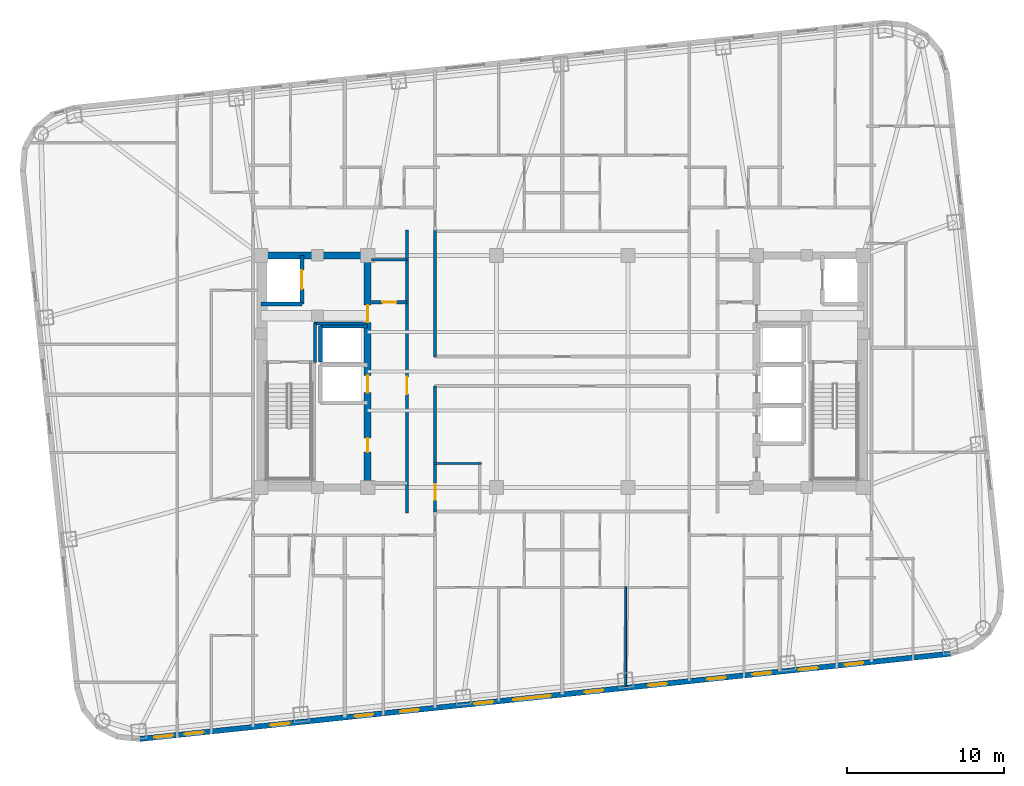
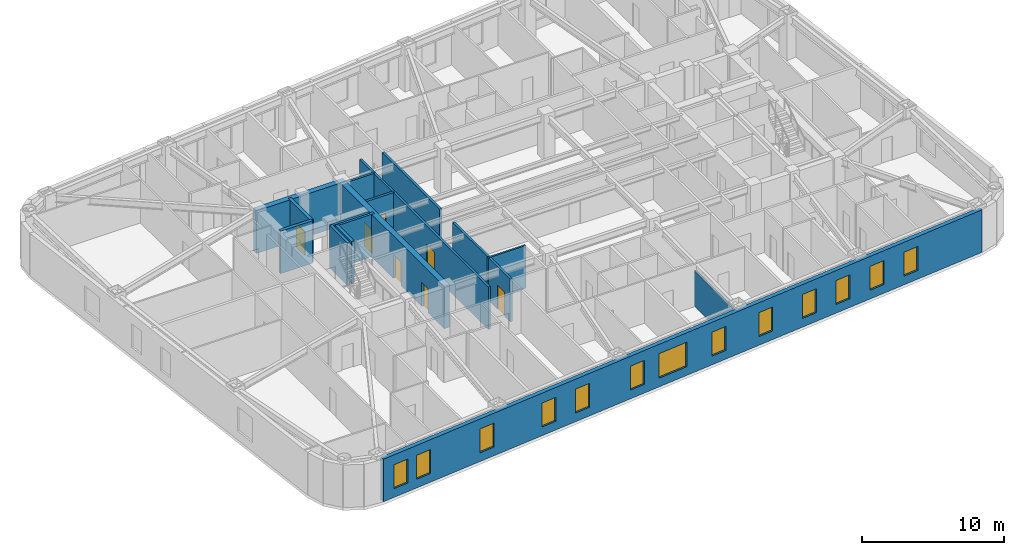
# One storey, part 4 of 11: 16 walls, 13 windows, 7 doors, 20 openings.
"""IFC4 building model written with IfcOpenShell, lengths in metres."""

from ifc_helpers import new_model, si_unit, direction, frame, frame_2d, origin, place, context, subcontext, project, spatial, rectangle, extrude, material, layer, layer_set, type_object, element, fill, save


model = new_model("IFC4")

# Units and contexts
model_context = context("Model", 3, precision=1e-05, world=origin(), true_north=direction((0.0, 1.0)))
body_context = subcontext(model_context, "Body", "Model", "MODEL_VIEW")
ifc_project = project(units=[si_unit("LENGTHUNIT", "METRE"), si_unit("AREAUNIT", "SQUARE_METRE"), si_unit("VOLUMEUNIT", "CUBIC_METRE"), si_unit("PLANEANGLEUNIT", "RADIAN"), si_unit("MASSUNIT", "GRAM", prefix="KILO")], contexts=[model_context])

# Site, building, storey
site_placement = place(None, origin())
site = spatial("IfcSite", under=ifc_project, at=site_placement, CompositionType="ELEMENT")
building_placement = place(site_placement, origin())
building = spatial("IfcBuilding", under=site, at=building_placement, Name="Voryun Gate Residences", CompositionType="ELEMENT")
storey_placement = place(building_placement, frame((0.0, 0.0, 163.800048828125)))
storey = spatial("IfcBuildingStorey", under=building, at=storey_placement, Name="L40", CompositionType="ELEMENT", Elevation=163.800048828125)

# Wall
ifc_material_1 = material(Name="Concrete C50/60", Category="concrete")
ifc_layer_1 = layer(ifc_material_1, 0.449951171875, Name="CW_CORE_450")
ifc_layer_set_1 = layer_set([ifc_layer_1], Name="Concrete C50/60")
wall_type_1 = type_object("IfcWallType", Name="CW_CORE_450", PredefinedType="SHEAR", material=ifc_layer_set_1)
wall_1_placement = place(storey_placement, frame((-19.425048828125, 7.39990234375, 0.0), z_axis=(0.0, 0.0, 1.0), x_axis=(1.0, 0.0, 0.0)))
element("IfcWall", 1, at=wall_1_placement, inside=storey, type_object=wall_type_1, Name="L40 Core shear wall CW-L40-WN", PredefinedType="SHEAR", context=body_context, shape_type="SweptSolid", body=[
    extrude(rectangle(XDim=7.25, YDim=0.449951171875, at=frame_2d((3.625, 0.0))), origin(), (0.0, 0.0, 1.0), 3.64990234375),
])

# Wall, openings, doors
wall_2_placement = place(storey_placement, frame((-12.39990234375, -7.39990234375, 0.0), z_axis=(0.0, 0.0, 1.0), x_axis=(0.0, 1.0, 0.0)))
wall_2 = element("IfcWall", 2, at=wall_2_placement, inside=storey, type_object=wall_type_1, Name="L40 Core shear wall CW-L40-WE", PredefinedType="SHEAR", context=body_context, shape_type="SweptSolid", body=[
    extrude(rectangle(XDim=14.7998046875, YDim=0.449951171875, at=frame_2d((7.39990234375, 0.0))), origin(), (0.0, 0.0, 1.0), 3.64990234375),
])
opening_1_placement = place(wall_2_placement, frame((6.050048828125, 0.0, 0.0)))
opening_1 = element("IfcOpeningElement", 3, at=opening_1_placement, cuts=wall_2, Name="Opening LD2", PredefinedType="OPENING", context=body_context, shape_type="SweptSolid", body=[
    extrude(rectangle(XDim=1.10009765625, YDim=2.050048828125, at=frame_2d((0.550048828125, 1.02490234375))), frame((0.0, 0.235107421875, 0.0), z_axis=(0.0, -1.0, 0.0), x_axis=(1.0, 0.0, 0.0)), (0.0, 0.0, 1.0), 0.469970703125),
])
opening_2_placement = place(wall_2_placement, frame((10.530029296875, 0.0, 0.0)))
opening_2 = element("IfcOpeningElement", 4, at=opening_2_placement, cuts=wall_2, Name="Opening D-FD60-2", PredefinedType="OPENING", context=body_context, shape_type="SweptSolid", body=[
    extrude(rectangle(XDim=1.10009765625, YDim=2.050048828125, at=frame_2d((0.550048828125, 1.02490234375))), frame((0.0, 0.235107421875, 0.0), z_axis=(0.0, -1.0, 0.0), x_axis=(1.0, 0.0, 0.0)), (0.0, 0.0, 1.0), 0.469970703125),
])
opening_3_placement = place(wall_2_placement, frame((2.25, 0.0, 0.0)))
opening_3 = element("IfcOpeningElement", 5, at=opening_3_placement, cuts=wall_2, Name="Opening D-FD60-4", PredefinedType="OPENING", context=body_context, shape_type="SweptSolid", body=[
    extrude(rectangle(XDim=0.89990234375, YDim=2.050048828125, at=frame_2d((0.449951171875, 1.02490234375))), frame((0.0, 0.235107421875, 0.0), z_axis=(0.0, -1.0, 0.0), x_axis=(1.0, 0.0, 0.0)), (0.0, 0.0, 1.0), 0.469970703125),
])
ifc_material_2 = material(Name="Painted steel fire door", Category="steel")
door_type_1 = type_object("IfcDoorType", Name="DR_FD60_FFLOB_1100", OperationType="NOTDEFINED", PredefinedType="DOOR", material=ifc_material_2)
door_1_placement = place(opening_2_placement, origin())
door_1 = element("IfcDoor", 6, at=door_1_placement, inside=storey, type_object=door_type_1, Name="Door DR-L40-CLOB-W", OperationType="SINGLE_SWING_LEFT", OverallHeight=2.050048828125, OverallWidth=1.10009765625, PredefinedType="DOOR", context=body_context, shape_type="SweptSolid", body=[
    extrude(rectangle(XDim=1.10009765625, YDim=2.050048828125, at=frame_2d((0.550048828125, 1.02490234375))), frame((0.0, 0.02490234375, 0.0), z_axis=(0.0, -1.0, 0.0), x_axis=(1.0, 0.0, 0.0)), (0.0, 0.0, 1.0), 0.050048828125),
])
fill(opening_2, door_1)
ifc_material_3 = material(Name="Painted steel fire door", Category="steel")
door_type_2 = type_object("IfcDoorType", Name="DR_FD60_RISER_900", OperationType="NOTDEFINED", PredefinedType="DOOR", material=ifc_material_3)
door_2_placement = place(opening_3_placement, origin())
door_2 = element("IfcDoor", 7, at=door_2_placement, inside=storey, type_object=door_type_2, Name="Door DR-L40-RECW1", OperationType="SINGLE_SWING_LEFT", OverallHeight=2.050048828125, OverallWidth=0.89990234375, PredefinedType="DOOR", context=body_context, shape_type="SweptSolid", body=[
    extrude(rectangle(XDim=0.89990234375, YDim=2.050048828125, at=frame_2d((0.449951171875, 1.02490234375))), frame((0.0, 0.02490234375, 0.0), z_axis=(0.0, -1.0, 0.0), x_axis=(1.0, 0.0, 0.0)), (0.0, 0.0, 1.0), 0.050048828125),
])
fill(opening_3, door_2)
ifc_material_4 = material(Name="Anodised aluminium", Category="aluminium")
door_type_3 = type_object("IfcDoorType", Name="DR_LD_PASS_1100", OperationType="NOTDEFINED", PredefinedType="DOOR", material=ifc_material_4)
door_3_placement = place(opening_1_placement, origin())
door_3 = element("IfcDoor", 8, at=door_3_placement, inside=storey, type_object=door_type_3, Name="Lift EL-P4 sliding landing door L40", OperationType="SLIDING_TO_LEFT", OverallHeight=2.050048828125, OverallWidth=1.10009765625, PredefinedType="DOOR", context=body_context, shape_type="SweptSolid", body=[
    extrude(rectangle(XDim=1.10009765625, YDim=2.050048828125, at=frame_2d((0.550048828125, 1.02490234375))), frame((0.0, 0.02490234375, 0.0), z_axis=(0.0, -1.0, 0.0), x_axis=(1.0, 0.0, 0.0)), (0.0, 0.0, 1.0), 0.050048828125),
])
fill(opening_1, door_3)

# Wall
ifc_material_5 = material(Name="Gypsum acoustic fireboard")
ifc_layer_2 = layer(ifc_material_5, 0.179931640625, Name="W_CORR_RATED_180")
ifc_layer_set_2 = layer_set([ifc_layer_2], Name="Gypsum acoustic fireboard")
wall_type_2 = type_object("IfcWallType", Name="W_CORR_RATED_180", PredefinedType="PARTITIONING", material=ifc_layer_set_2)
wall_3_placement = place(storey_placement, frame((-12.14990234375, 7.1201171875, 0.0), z_axis=(0.0, 0.0, 1.0), x_axis=(1.0, 0.0, 0.0)))
element("IfcWall", 9, at=wall_3_placement, inside=storey, type_object=wall_type_2, Name="Partition wall WP-L40-PLBN-W", PredefinedType="PARTITIONING", context=body_context, shape_type="SweptSolid", body=[
    extrude(rectangle(XDim=2.27001953125, YDim=0.179931640625, at=frame_2d((1.135009765625, 0.0))), origin(), (0.0, 0.0, 1.0), 3.64990234375),
])

# Wall, opening, door
wall_4_placement = place(storey_placement, frame((-9.89990234375, -9.030029296875, 0.0), z_axis=(0.0, 0.0, 1.0), x_axis=(0.0, 1.0, 0.0)))
wall_4 = element("IfcWall", 10, at=wall_4_placement, inside=storey, type_object=wall_type_2, Name="Partition wall WP-L40-PLBW-FULL", PredefinedType="PARTITIONING", context=body_context, shape_type="SweptSolid", body=[
    extrude(rectangle(XDim=18.06005859375, YDim=0.179931640625, at=frame_2d((9.030029296875, 0.0))), origin(), (0.0, 0.0, 1.0), 3.64990234375),
])
opening_4_placement = place(wall_4_placement, frame((7.576904296875, 0.0, 0.0)))
opening_4 = element("IfcOpeningElement", 11, at=opening_4_placement, cuts=wall_4, Name="Opening D-FD60-2", PredefinedType="OPENING", context=body_context, shape_type="SweptSolid", body=[
    extrude(rectangle(XDim=1.10009765625, YDim=2.050048828125, at=frame_2d((0.550048828125, 1.02490234375))), frame((0.0, 0.099853515625, 0.0), z_axis=(0.0, -1.0, 0.0), x_axis=(1.0, 0.0, 0.0)), (0.0, 0.0, 1.0), 0.199951171875),
])
door_4_placement = place(opening_4_placement, origin())
door_4 = element("IfcDoor", 12, at=door_4_placement, inside=storey, type_object=door_type_1, Name="Door DR-L40-PLBW-COR", OperationType="SINGLE_SWING_LEFT", OverallHeight=2.050048828125, OverallWidth=1.10009765625, PredefinedType="DOOR", context=body_context, shape_type="SweptSolid", body=[
    extrude(rectangle(XDim=1.10009765625, YDim=2.050048828125, at=frame_2d((0.550048828125, 1.02490234375))), frame((0.0, 0.02490234375, 0.0), z_axis=(0.0, -1.0, 0.0), x_axis=(1.0, 0.0, 0.0)), (0.0, 0.0, 1.0), 0.050048828125),
])
fill(opening_4, door_4)

# Wall
wall_5_placement = place(storey_placement, frame((-8.10009765625, 0.919921875, 0.0), z_axis=(0.0, 0.0, 1.0), x_axis=(0.0, 1.0, 0.0)))
element("IfcWall", 13, at=wall_5_placement, inside=storey, type_object=wall_type_2, Name="Partition wall WP-L40-Z2WL1", PredefinedType="PARTITIONING", context=body_context, shape_type="SweptSolid", body=[
    extrude(rectangle(XDim=8.06005859375, YDim=0.179931640625, at=frame_2d((4.030029296875, 0.0))), origin(), (0.0, 0.0, 1.0), 3.64990234375),
])

# Wall, opening, door
wall_6_placement = place(storey_placement, frame((-8.10009765625, -8.97998046875, 0.0), z_axis=(0.0, 0.0, 1.0), x_axis=(0.0, 1.0, 0.0)))
wall_6 = element("IfcWall", 14, at=wall_6_placement, inside=storey, type_object=wall_type_2, Name="Partition wall WP-L40-Z2WL2", PredefinedType="PARTITIONING", context=body_context, shape_type="SweptSolid", body=[
    extrude(rectangle(XDim=8.06005859375, YDim=0.179931640625, at=frame_2d((4.030029296875, 0.0))), origin(), (0.0, 0.0, 1.0), 3.64990234375),
])
opening_5_placement = place(wall_6_placement, frame((0.78955078125, 0.0, 0.0)))
opening_5 = element("IfcOpeningElement", 15, at=opening_5_placement, cuts=wall_6, Name="Opening D-AWC-1", PredefinedType="OPENING", context=body_context, shape_type="SweptSolid", body=[
    extrude(rectangle(XDim=1.0, YDim=2.050048828125, at=frame_2d((0.5, 1.02490234375))), frame((0.0, 0.099853515625, 0.0), z_axis=(0.0, -1.0, 0.0), x_axis=(1.0, 0.0, 0.0)), (0.0, 0.0, 1.0), 0.199951171875),
])
ifc_material_6 = material(Name="Architectural oak veneer")
door_type_4 = type_object("IfcDoorType", Name="DR_ACC_WC_1000", OperationType="NOTDEFINED", PredefinedType="DOOR", material=ifc_material_6)
door_5_placement = place(opening_5_placement, origin())
door_5 = element("IfcDoor", 16, at=door_5_placement, inside=storey, type_object=door_type_4, Name="Door DR-L40-CMWC-D", OperationType="SINGLE_SWING_LEFT", OverallHeight=2.050048828125, OverallWidth=1.0, PredefinedType="DOOR", context=body_context, shape_type="SweptSolid", body=[
    extrude(rectangle(XDim=1.0, YDim=2.050048828125, at=frame_2d((0.5, 1.02490234375))), frame((0.0, 0.02490234375, 0.0), z_axis=(0.0, -1.0, 0.0), x_axis=(1.0, 0.0, 0.0)), (0.0, 0.0, 1.0), 0.050048828125),
])
fill(opening_5, door_5)

# Wall, openings, windows
ifc_material_7 = material(Name="Charcoal terracotta masonry", Category="masonry")
ifc_layer_3 = layer(ifc_material_7, 0.340087890625, Name="W_EXT_TERRACOTTA_340")
ifc_layer_set_3 = layer_set([ifc_layer_3], Name="Charcoal terracotta masonry")
wall_type_3 = type_object("IfcWallType", Name="W_EXT_TERRACOTTA_340", PredefinedType="ELEMENTEDWALL", material=ifc_layer_set_3)
wall_7_placement = place(storey_placement, frame((24.755615234375, -18.003173828125, 0.0), z_axis=(0.0, 0.0, 1.0), x_axis=(-0.99452160744, -0.104531202687, 0.0)))
wall_7 = element("IfcWall", 17, at=wall_7_placement, inside=storey, type_object=wall_type_3, Name="Exterior wall WEXT-L40-01", PredefinedType="ELEMENTEDWALL", context=body_context, shape_type="SweptSolid", body=[
    extrude(rectangle(XDim=51.966552734375, YDim=0.340087890625, at=frame_2d((25.9833984375, 0.0))), origin(), (0.0, 0.0, 1.0), 3.64990234375),
])
opening_6_placement = place(wall_7_placement, frame((25.63330078125, 0.0, 0.75)))
opening_6 = element("IfcOpeningElement", 18, at=opening_6_placement, cuts=wall_7, Name="Opening WN2", PredefinedType="OPENING", context=body_context, shape_type="SweptSolid", body=[
    extrude(rectangle(XDim=2.39990234375, YDim=2.10009765625, at=frame_2d((1.199951171875, 1.050048828125))), frame((0.0, 0.179931640625, 0.0), z_axis=(0.0, -1.0, 0.0), x_axis=(1.0, 0.0, 0.0)), (0.0, 0.0, 1.0), 0.360107421875),
])
opening_7_placement = place(wall_7_placement, frame((42.369384765625, 0.0, 0.75)))
opening_7 = element("IfcOpeningElement", 19, at=opening_7_placement, cuts=wall_7, Name="Opening WN6", PredefinedType="OPENING", context=body_context, shape_type="SweptSolid", body=[
    extrude(rectangle(XDim=1.199951171875, YDim=2.050048828125, at=frame_2d((0.60009765625, 1.02490234375))), frame((0.0, 0.179931640625, 0.0), z_axis=(0.0, -1.0, 0.0), x_axis=(1.0, 0.0, 0.0)), (0.0, 0.0, 1.0), 0.360107421875),
])
opening_8_placement = place(wall_7_placement, frame((34.084716796875, 0.0, 0.75)))
opening_8 = element("IfcOpeningElement", 20, at=opening_8_placement, cuts=wall_7, Name="Opening WN6", PredefinedType="OPENING", context=body_context, shape_type="SweptSolid", body=[
    extrude(rectangle(XDim=1.199951171875, YDim=2.050048828125, at=frame_2d((0.60009765625, 1.02490234375))), frame((0.0, 0.179931640625, 0.0), z_axis=(0.0, -1.0, 0.0), x_axis=(1.0, 0.0, 0.0)), (0.0, 0.0, 1.0), 0.360107421875),
])
opening_9_placement = place(wall_7_placement, frame((36.9931640625, 0.0, 0.75)))
opening_9 = element("IfcOpeningElement", 21, at=opening_9_placement, cuts=wall_7, Name="Opening WN6", PredefinedType="OPENING", context=body_context, shape_type="SweptSolid", body=[
    extrude(rectangle(XDim=1.199951171875, YDim=2.050048828125, at=frame_2d((0.60009765625, 1.02490234375))), frame((0.0, 0.179931640625, 0.0), z_axis=(0.0, -1.0, 0.0), x_axis=(1.0, 0.0, 0.0)), (0.0, 0.0, 1.0), 0.360107421875),
])
opening_10_placement = place(wall_7_placement, frame((14.3974609375, 0.0, 0.75)))
opening_10 = element("IfcOpeningElement", 22, at=opening_10_placement, cuts=wall_7, Name="Opening WN6", PredefinedType="OPENING", context=body_context, shape_type="SweptSolid", body=[
    extrude(rectangle(XDim=1.199951171875, YDim=2.050048828125, at=frame_2d((0.60009765625, 1.02490234375))), frame((0.0, 0.179931640625, 0.0), z_axis=(0.0, -1.0, 0.0), x_axis=(1.0, 0.0, 0.0)), (0.0, 0.0, 1.0), 0.360107421875),
])
opening_11_placement = place(wall_7_placement, frame((11.489013671875, 0.0, 0.75)))
opening_11 = element("IfcOpeningElement", 23, at=opening_11_placement, cuts=wall_7, Name="Opening WN6", PredefinedType="OPENING", context=body_context, shape_type="SweptSolid", body=[
    extrude(rectangle(XDim=1.199951171875, YDim=2.050048828125, at=frame_2d((0.60009765625, 1.02490234375))), frame((0.0, 0.179931640625, 0.0), z_axis=(0.0, -1.0, 0.0), x_axis=(1.0, 0.0, 0.0)), (0.0, 0.0, 1.0), 0.360107421875),
])
opening_12_placement = place(wall_7_placement, frame((8.520751953125, 0.0, 0.75)))
opening_12 = element("IfcOpeningElement", 24, at=opening_12_placement, cuts=wall_7, Name="Opening WN6", PredefinedType="OPENING", context=body_context, shape_type="SweptSolid", body=[
    extrude(rectangle(XDim=1.199951171875, YDim=2.050048828125, at=frame_2d((0.60009765625, 1.02490234375))), frame((0.0, 0.179931640625, 0.0), z_axis=(0.0, -1.0, 0.0), x_axis=(1.0, 0.0, 0.0)), (0.0, 0.0, 1.0), 0.360107421875),
])
opening_13_placement = place(wall_7_placement, frame((5.58203125, 0.0, 0.75)))
opening_13 = element("IfcOpeningElement", 25, at=opening_13_placement, cuts=wall_7, Name="Opening WN6", PredefinedType="OPENING", context=body_context, shape_type="SweptSolid", body=[
    extrude(rectangle(XDim=1.199951171875, YDim=2.050048828125, at=frame_2d((0.60009765625, 1.02490234375))), frame((0.0, 0.179931640625, 0.0), z_axis=(0.0, -1.0, 0.0), x_axis=(1.0, 0.0, 0.0)), (0.0, 0.0, 1.0), 0.360107421875),
])
opening_14_placement = place(wall_7_placement, frame((29.31298828125, 0.0, 0.75)))
opening_14 = element("IfcOpeningElement", 26, at=opening_14_placement, cuts=wall_7, Name="Opening WN6", PredefinedType="OPENING", context=body_context, shape_type="SweptSolid", body=[
    extrude(rectangle(XDim=1.199951171875, YDim=2.050048828125, at=frame_2d((0.60009765625, 1.02490234375))), frame((0.0, 0.179931640625, 0.0), z_axis=(0.0, -1.0, 0.0), x_axis=(1.0, 0.0, 0.0)), (0.0, 0.0, 1.0), 0.360107421875),
])
opening_15_placement = place(wall_7_placement, frame((22.248291015625, 0.0, 0.75)))
opening_15 = element("IfcOpeningElement", 27, at=opening_15_placement, cuts=wall_7, Name="Opening WN6", PredefinedType="OPENING", context=body_context, shape_type="SweptSolid", body=[
    extrude(rectangle(XDim=1.199951171875, YDim=2.050048828125, at=frame_2d((0.60009765625, 1.02490234375))), frame((0.0, 0.179931640625, 0.0), z_axis=(0.0, -1.0, 0.0), x_axis=(1.0, 0.0, 0.0)), (0.0, 0.0, 1.0), 0.360107421875),
])
opening_16_placement = place(wall_7_placement, frame((18.18603515625, 0.0, 0.75)))
opening_16 = element("IfcOpeningElement", 28, at=opening_16_placement, cuts=wall_7, Name="Opening WN6", PredefinedType="OPENING", context=body_context, shape_type="SweptSolid", body=[
    extrude(rectangle(XDim=1.199951171875, YDim=2.050048828125, at=frame_2d((0.60009765625, 1.02490234375))), frame((0.0, 0.179931640625, 0.0), z_axis=(0.0, -1.0, 0.0), x_axis=(1.0, 0.0, 0.0)), (0.0, 0.0, 1.0), 0.360107421875),
])
opening_17_placement = place(wall_7_placement, frame((47.87890625, 0.0, 0.75)))
opening_17 = element("IfcOpeningElement", 29, at=opening_17_placement, cuts=wall_7, Name="Opening WN6", PredefinedType="OPENING", context=body_context, shape_type="SweptSolid", body=[
    extrude(rectangle(XDim=1.199951171875, YDim=2.050048828125, at=frame_2d((0.60009765625, 1.02490234375))), frame((0.0, 0.179931640625, 0.0), z_axis=(0.0, -1.0, 0.0), x_axis=(1.0, 0.0, 0.0)), (0.0, 0.0, 1.0), 0.360107421875),
])
opening_18_placement = place(wall_7_placement, frame((49.84423828125, 0.0, 0.75)))
opening_18 = element("IfcOpeningElement", 30, at=opening_18_placement, cuts=wall_7, Name="Opening WN6", PredefinedType="OPENING", context=body_context, shape_type="SweptSolid", body=[
    extrude(rectangle(XDim=1.199951171875, YDim=2.050048828125, at=frame_2d((0.60009765625, 1.02490234375))), frame((0.0, 0.179931640625, 0.0), z_axis=(0.0, -1.0, 0.0), x_axis=(1.0, 0.0, 0.0)), (0.0, 0.0, 1.0), 0.360107421875),
])
ifc_material_8 = material(Name="Laminated low-E glass", Category="glass")
window_type_1 = type_object("IfcWindowType", Name="WN_POD_SLOT_1200", PartitioningType="SINGLE_PANEL", PredefinedType="WINDOW", material=ifc_material_8)
window_1_placement = place(opening_7_placement, origin())
window_1 = element("IfcWindow", 31, at=window_1_placement, inside=storey, type_object=window_type_1, Name="Window WN-L40-DWFIX-10", OverallHeight=2.050048828125, OverallWidth=1.199951171875, PartitioningType="SINGLE_PANEL", PredefinedType="WINDOW", context=body_context, shape_type="SweptSolid", body=[
    extrude(rectangle(XDim=1.199951171875, YDim=2.050048828125, at=frame_2d((0.60009765625, 1.02490234375))), frame((0.0, 0.030029296875, 0.0), z_axis=(0.0, -1.0, 0.0), x_axis=(1.0, 0.0, 0.0)), (0.0, 0.0, 1.0), 0.06005859375),
])
fill(opening_7, window_1)
window_2_placement = place(opening_8_placement, origin())
window_2 = element("IfcWindow", 32, at=window_2_placement, inside=storey, type_object=window_type_1, Name="Window WN-L40-DWFIX-11", OverallHeight=2.050048828125, OverallWidth=1.199951171875, PartitioningType="SINGLE_PANEL", PredefinedType="WINDOW", context=body_context, shape_type="SweptSolid", body=[
    extrude(rectangle(XDim=1.199951171875, YDim=2.050048828125, at=frame_2d((0.60009765625, 1.02490234375))), frame((0.0, 0.030029296875, 0.0), z_axis=(0.0, -1.0, 0.0), x_axis=(1.0, 0.0, 0.0)), (0.0, 0.0, 1.0), 0.06005859375),
])
fill(opening_8, window_2)
window_3_placement = place(opening_9_placement, origin())
window_3 = element("IfcWindow", 33, at=window_3_placement, inside=storey, type_object=window_type_1, Name="Window WN-L40-DWFIX-12", OverallHeight=2.050048828125, OverallWidth=1.199951171875, PartitioningType="SINGLE_PANEL", PredefinedType="WINDOW", context=body_context, shape_type="SweptSolid", body=[
    extrude(rectangle(XDim=1.199951171875, YDim=2.050048828125, at=frame_2d((0.60009765625, 1.02490234375))), frame((0.0, 0.030029296875, 0.0), z_axis=(0.0, -1.0, 0.0), x_axis=(1.0, 0.0, 0.0)), (0.0, 0.0, 1.0), 0.06005859375),
])
fill(opening_9, window_3)
window_4_placement = place(opening_10_placement, origin())
window_4 = element("IfcWindow", 34, at=window_4_placement, inside=storey, type_object=window_type_1, Name="Window WN-L40-DWFIX-13", OverallHeight=2.050048828125, OverallWidth=1.199951171875, PartitioningType="SINGLE_PANEL", PredefinedType="WINDOW", context=body_context, shape_type="SweptSolid", body=[
    extrude(rectangle(XDim=1.199951171875, YDim=2.050048828125, at=frame_2d((0.60009765625, 1.02490234375))), frame((0.0, 0.030029296875, 0.0), z_axis=(0.0, -1.0, 0.0), x_axis=(1.0, 0.0, 0.0)), (0.0, 0.0, 1.0), 0.06005859375),
])
fill(opening_10, window_4)
window_5_placement = place(opening_11_placement, origin())
window_5 = element("IfcWindow", 35, at=window_5_placement, inside=storey, type_object=window_type_1, Name="Window WN-L40-DWFIX-14", OverallHeight=2.050048828125, OverallWidth=1.199951171875, PartitioningType="SINGLE_PANEL", PredefinedType="WINDOW", context=body_context, shape_type="SweptSolid", body=[
    extrude(rectangle(XDim=1.199951171875, YDim=2.050048828125, at=frame_2d((0.60009765625, 1.02490234375))), frame((0.0, 0.030029296875, 0.0), z_axis=(0.0, -1.0, 0.0), x_axis=(1.0, 0.0, 0.0)), (0.0, 0.0, 1.0), 0.06005859375),
])
fill(opening_11, window_5)
window_6_placement = place(opening_12_placement, origin())
window_6 = element("IfcWindow", 36, at=window_6_placement, inside=storey, type_object=window_type_1, Name="Window WN-L40-DWFIX-15", OverallHeight=2.050048828125, OverallWidth=1.199951171875, PartitioningType="SINGLE_PANEL", PredefinedType="WINDOW", context=body_context, shape_type="SweptSolid", body=[
    extrude(rectangle(XDim=1.199951171875, YDim=2.050048828125, at=frame_2d((0.60009765625, 1.02490234375))), frame((0.0, 0.030029296875, 0.0), z_axis=(0.0, -1.0, 0.0), x_axis=(1.0, 0.0, 0.0)), (0.0, 0.0, 1.0), 0.06005859375),
])
fill(opening_12, window_6)
window_7_placement = place(opening_13_placement, origin())
window_7 = element("IfcWindow", 37, at=window_7_placement, inside=storey, type_object=window_type_1, Name="Window WN-L40-DWFIX-16", OverallHeight=2.050048828125, OverallWidth=1.199951171875, PartitioningType="SINGLE_PANEL", PredefinedType="WINDOW", context=body_context, shape_type="SweptSolid", body=[
    extrude(rectangle(XDim=1.199951171875, YDim=2.050048828125, at=frame_2d((0.60009765625, 1.02490234375))), frame((0.0, 0.030029296875, 0.0), z_axis=(0.0, -1.0, 0.0), x_axis=(1.0, 0.0, 0.0)), (0.0, 0.0, 1.0), 0.06005859375),
])
fill(opening_13, window_7)
window_8_placement = place(opening_14_placement, origin())
window_8 = element("IfcWindow", 38, at=window_8_placement, inside=storey, type_object=window_type_1, Name="Window WN-L40-DWFIX-17", OverallHeight=2.050048828125, OverallWidth=1.199951171875, PartitioningType="SINGLE_PANEL", PredefinedType="WINDOW", context=body_context, shape_type="SweptSolid", body=[
    extrude(rectangle(XDim=1.199951171875, YDim=2.050048828125, at=frame_2d((0.60009765625, 1.02490234375))), frame((0.0, 0.030029296875, 0.0), z_axis=(0.0, -1.0, 0.0), x_axis=(1.0, 0.0, 0.0)), (0.0, 0.0, 1.0), 0.06005859375),
])
fill(opening_14, window_8)
window_9_placement = place(opening_15_placement, origin())
window_9 = element("IfcWindow", 39, at=window_9_placement, inside=storey, type_object=window_type_1, Name="Window WN-L40-DWFIX-18", OverallHeight=2.050048828125, OverallWidth=1.199951171875, PartitioningType="SINGLE_PANEL", PredefinedType="WINDOW", context=body_context, shape_type="SweptSolid", body=[
    extrude(rectangle(XDim=1.199951171875, YDim=2.050048828125, at=frame_2d((0.60009765625, 1.02490234375))), frame((0.0, 0.030029296875, 0.0), z_axis=(0.0, -1.0, 0.0), x_axis=(1.0, 0.0, 0.0)), (0.0, 0.0, 1.0), 0.06005859375),
])
fill(opening_15, window_9)
window_10_placement = place(opening_16_placement, origin())
window_10 = element("IfcWindow", 40, at=window_10_placement, inside=storey, type_object=window_type_1, Name="Window WN-L40-DWFIX-19", OverallHeight=2.050048828125, OverallWidth=1.199951171875, PartitioningType="SINGLE_PANEL", PredefinedType="WINDOW", context=body_context, shape_type="SweptSolid", body=[
    extrude(rectangle(XDim=1.199951171875, YDim=2.050048828125, at=frame_2d((0.60009765625, 1.02490234375))), frame((0.0, 0.030029296875, 0.0), z_axis=(0.0, -1.0, 0.0), x_axis=(1.0, 0.0, 0.0)), (0.0, 0.0, 1.0), 0.06005859375),
])
fill(opening_16, window_10)
window_11_placement = place(opening_17_placement, origin())
window_11 = element("IfcWindow", 41, at=window_11_placement, inside=storey, type_object=window_type_1, Name="Window WN-L40-DWFIX-20", OverallHeight=2.050048828125, OverallWidth=1.199951171875, PartitioningType="SINGLE_PANEL", PredefinedType="WINDOW", context=body_context, shape_type="SweptSolid", body=[
    extrude(rectangle(XDim=1.199951171875, YDim=2.050048828125, at=frame_2d((0.60009765625, 1.02490234375))), frame((0.0, 0.030029296875, 0.0), z_axis=(0.0, -1.0, 0.0), x_axis=(1.0, 0.0, 0.0)), (0.0, 0.0, 1.0), 0.06005859375),
])
fill(opening_17, window_11)
window_12_placement = place(opening_18_placement, origin())
window_12 = element("IfcWindow", 42, at=window_12_placement, inside=storey, type_object=window_type_1, Name="Window WN-L40-DWFIX-22", OverallHeight=2.050048828125, OverallWidth=1.199951171875, PartitioningType="SINGLE_PANEL", PredefinedType="WINDOW", context=body_context, shape_type="SweptSolid", body=[
    extrude(rectangle(XDim=1.199951171875, YDim=2.050048828125, at=frame_2d((0.60009765625, 1.02490234375))), frame((0.0, 0.030029296875, 0.0), z_axis=(0.0, -1.0, 0.0), x_axis=(1.0, 0.0, 0.0)), (0.0, 0.0, 1.0), 0.06005859375),
])
fill(opening_18, window_12)
ifc_material_9 = material(Name="Laminated low-E glass", Category="glass")
window_type_2 = type_object("IfcWindowType", Name="WN_RES_WIDE_2400", PartitioningType="SINGLE_PANEL", PredefinedType="WINDOW", material=ifc_material_9)
window_13_placement = place(opening_6_placement, origin())
window_13 = element("IfcWindow", 43, at=window_13_placement, inside=storey, type_object=window_type_2, Name="Window WN-WEXT-L40-01-02", OverallHeight=2.10009765625, OverallWidth=2.39990234375, PartitioningType="SINGLE_PANEL", PredefinedType="WINDOW", context=body_context, shape_type="SweptSolid", body=[
    extrude(rectangle(XDim=2.39990234375, YDim=2.10009765625, at=frame_2d((1.199951171875, 1.050048828125))), frame((0.0, 0.030029296875, 0.0), z_axis=(0.0, -1.0, 0.0), x_axis=(1.0, 0.0, 0.0)), (0.0, 0.0, 1.0), 0.06005859375),
])
fill(opening_6, window_13)

# Walls
ifc_material_10 = material(Name="Concrete C40/50", Category="concrete")
ifc_layer_4 = layer(ifc_material_10, 0.199951171875, Name="W_FF_LOBBY_200")
ifc_layer_set_4 = layer_set([ifc_layer_4], Name="Concrete C40/50")
wall_type_4 = type_object("IfcWallType", Name="W_FF_LOBBY_200", PredefinedType="PARTITIONING", material=ifc_layer_set_4)
wall_8_placement = place(storey_placement, frame((-15.760009765625, 0.580078125, 0.0), z_axis=(0.0, 0.0, 1.0), x_axis=(0.0, 1.0, 0.0)))
element("IfcWall", 44, at=wall_8_placement, inside=storey, type_object=wall_type_4, Name="Partition wall WP-L40-FFP0-W", PredefinedType="PARTITIONING", context=body_context, shape_type="SweptSolid", body=[
    extrude(rectangle(XDim=2.52001953125, YDim=0.199951171875, at=frame_2d((1.260009765625, 0.0))), origin(), (0.0, 0.0, 1.0), 3.64990234375),
])
wall_9_placement = place(storey_placement, frame((-15.820068359375, 3.06005859375, 0.0), z_axis=(0.0, 0.0, 1.0), x_axis=(1.0, 0.0, 0.0)))
element("IfcWall", 45, at=wall_9_placement, inside=storey, type_object=wall_type_4, Name="Partition wall WP-L40-FFPS-W", PredefinedType="PARTITIONING", context=body_context, shape_type="SweptSolid", body=[
    extrude(rectangle(XDim=3.16015625, YDim=0.199951171875, at=frame_2d((1.580078125, 0.0))), origin(), (0.0, 0.0, 1.0), 3.64990234375),
])

# Wall, opening, door
wall_10_placement = place(storey_placement, frame((-12.14990234375, 4.409912109375, 0.0), z_axis=(0.0, 0.0, 1.0), x_axis=(1.0, 0.0, 0.0)))
wall_10 = element("IfcWall", 46, at=wall_10_placement, inside=storey, type_object=wall_type_4, Name="Partition wall WP-L40-CSFLKS-W", PredefinedType="PARTITIONING", context=body_context, shape_type="SweptSolid", body=[
    extrude(rectangle(XDim=2.27001953125, YDim=0.199951171875, at=frame_2d((1.135009765625, 0.0))), origin(), (0.0, 0.0, 1.0), 3.64990234375),
])
opening_19_placement = place(wall_10_placement, frame((0.68505859375, 0.0, 0.0)))
opening_19 = element("IfcOpeningElement", 47, at=opening_19_placement, cuts=wall_10, Name="Opening D-FD60-4", PredefinedType="OPENING", context=body_context, shape_type="SweptSolid", body=[
    extrude(rectangle(XDim=0.89990234375, YDim=2.050048828125, at=frame_2d((0.449951171875, 1.02490234375))), frame((0.0, 0.110107421875, 0.0), z_axis=(0.0, -1.0, 0.0), x_axis=(1.0, 0.0, 0.0)), (0.0, 0.0, 1.0), 0.219970703125),
])
door_6_placement = place(opening_19_placement, origin())
door_6 = element("IfcDoor", 48, at=door_6_placement, inside=storey, type_object=door_type_2, Name="Door DR-L40-CSFLK-W", OperationType="SINGLE_SWING_LEFT", OverallHeight=2.050048828125, OverallWidth=0.89990234375, PredefinedType="DOOR", context=body_context, shape_type="SweptSolid", body=[
    extrude(rectangle(XDim=0.89990234375, YDim=2.050048828125, at=frame_2d((0.449951171875, 1.02490234375))), frame((0.0, 0.02490234375, 0.0), z_axis=(0.0, -1.0, 0.0), x_axis=(1.0, 0.0, 0.0)), (0.0, 0.0, 1.0), 0.050048828125),
])
fill(opening_19, door_6)

# Wall
ifc_material_11 = material(Name="Concrete C50/60", Category="concrete")
ifc_layer_5 = layer(ifc_material_11, 0.25, Name="W_SHAFT_RC250")
ifc_layer_set_5 = layer_set([ifc_layer_5], Name="Concrete C50/60")
wall_type_5 = type_object("IfcWallType", Name="W_SHAFT_RC250", PredefinedType="SOLIDWALL", material=ifc_layer_set_5)
wall_11_placement = place(storey_placement, frame((-19.199951171875, 4.300048828125, 0.0), z_axis=(0.0, 0.0, 1.0), x_axis=(1.0, 0.0, 0.0)))
element("IfcWall", 49, at=wall_11_placement, inside=storey, type_object=wall_type_5, Name="Lift shaft wall WSH-L40-EL-FF-W1-S", PredefinedType="SOLIDWALL", context=body_context, shape_type="SweptSolid", body=[
    extrude(rectangle(XDim=2.599853515625, YDim=0.25, at=frame_2d((1.2998046875, 0.0))), origin(), (0.0, 0.0, 1.0), 3.64990234375),
])

# Wall, opening, door
wall_12_placement = place(storey_placement, frame((-16.60009765625, 4.300048828125, 0.0), z_axis=(0.0, 0.0, 1.0), x_axis=(0.0, 1.0, 0.0)))
wall_12 = element("IfcWall", 50, at=wall_12_placement, inside=storey, type_object=wall_type_5, Name="Lift shaft wall WSH-L40-EL-FF-W1-E", PredefinedType="SOLIDWALL", context=body_context, shape_type="SweptSolid", body=[
    extrude(rectangle(XDim=3.099853515625, YDim=0.25, at=frame_2d((1.5498046875, 0.0))), origin(), (0.0, 0.0, 1.0), 3.64990234375),
])
opening_20_placement = place(wall_12_placement, frame((0.949951171875, 0.0, 0.0)))
opening_20 = element("IfcOpeningElement", 51, at=opening_20_placement, cuts=wall_12, Name="Opening LD1", PredefinedType="OPENING", context=body_context, shape_type="SweptSolid", body=[
    extrude(rectangle(XDim=1.199951171875, YDim=2.050048828125, at=frame_2d((0.60009765625, 1.02490234375))), frame((0.0, 0.135009765625, 0.0), z_axis=(0.0, -1.0, 0.0), x_axis=(1.0, 0.0, 0.0)), (0.0, 0.0, 1.0), 0.27001953125),
])
ifc_material_12 = material(Name="Anodised aluminium", Category="aluminium")
door_type_5 = type_object("IfcDoorType", Name="DR_LD_FF_1200", OperationType="NOTDEFINED", PredefinedType="DOOR", material=ifc_material_12)
door_7_placement = place(opening_20_placement, origin())
door_7 = element("IfcDoor", 52, at=door_7_placement, inside=storey, type_object=door_type_5, Name="Lift EL-FF-W1 sliding landing door L40", OperationType="SLIDING_TO_LEFT", OverallHeight=2.050048828125, OverallWidth=1.199951171875, PredefinedType="DOOR", context=body_context, shape_type="SweptSolid", body=[
    extrude(rectangle(XDim=1.199951171875, YDim=2.050048828125, at=frame_2d((0.60009765625, 1.02490234375))), frame((0.0, 0.02490234375, 0.0), z_axis=(0.0, -1.0, 0.0), x_axis=(1.0, 0.0, 0.0)), (0.0, 0.0, 1.0), 0.050048828125),
])
fill(opening_20, door_7)

# Walls
wall_13_placement = place(storey_placement, frame((-12.39990234375, 2.89990234375, 0.0), z_axis=(0.0, 0.0, 1.0), x_axis=(-1.0, 0.0, 0.0)))
element("IfcWall", 53, at=wall_13_placement, inside=storey, type_object=wall_type_5, Name="Lift shaft wall WSH-L40-EL-P7-N", PredefinedType="SOLIDWALL", context=body_context, shape_type="SweptSolid", body=[
    extrude(rectangle(XDim=3.0, YDim=0.25, at=frame_2d((1.5, 0.0))), origin(), (0.0, 0.0, 1.0), 3.64990234375),
])
wall_14_placement = place(storey_placement, frame((-15.39990234375, 2.89990234375, 0.0), z_axis=(0.0, 0.0, 1.0), x_axis=(0.0, -1.0, 0.0)))
element("IfcWall", 54, at=wall_14_placement, inside=storey, type_object=wall_type_5, Name="Lift shaft wall WSH-L40-EL-P7-W", PredefinedType="SOLIDWALL", context=body_context, shape_type="SweptSolid", body=[
    extrude(rectangle(XDim=2.2998046875, YDim=0.25, at=frame_2d((1.14990234375, 0.0))), origin(), (0.0, 0.0, 1.0), 3.64990234375),
])
ifc_material_13 = material(Name="Gypsum acoustic partition")
ifc_layer_6 = layer(ifc_material_13, 0.125, Name="W_UNIT_PART_125")
ifc_layer_set_6 = layer_set([ifc_layer_6], Name="Gypsum acoustic partition")
wall_type_6 = type_object("IfcWallType", Name="W_UNIT_PART_125", PredefinedType="PARTITIONING", material=ifc_layer_set_6)
wall_15_placement = place(storey_placement, frame((4.050048828125, -20.179443359375, 0.0), z_axis=(0.0, 0.0, 1.0), x_axis=(0.0, 1.0, 0.0)))
element("IfcWall", 55, at=wall_15_placement, inside=storey, type_object=wall_type_6, Name="Partition wall WP-L40-SC2-VBD", PredefinedType="PARTITIONING", context=body_context, shape_type="SweptSolid", body=[
    extrude(rectangle(XDim=6.439453125, YDim=0.125, at=frame_2d((3.2197265625, 0.0))), origin(), (0.0, 0.0, 1.0), 3.0400390625),
])
ifc_material_14 = material(Name="Gypsum moisture-resistant partition")
ifc_layer_7 = layer(ifc_material_14, 0.14990234375, Name="W_WET_PLUMB_150")
ifc_layer_set_7 = layer_set([ifc_layer_7], Name="Gypsum moisture-resistant partition")
wall_type_7 = type_object("IfcWallType", Name="W_WET_PLUMB_150", PredefinedType="PLUMBINGWALL", material=ifc_layer_set_7)
wall_16_placement = place(storey_placement, frame((-8.2099609375, -5.8701171875, 0.0), z_axis=(0.0, 0.0, 1.0), x_axis=(1.0, 0.0, 0.0)))
element("IfcWall", 56, at=wall_16_placement, inside=storey, type_object=wall_type_7, Name="Partition wall WP-L40-CMWCY", PredefinedType="PLUMBINGWALL", context=body_context, shape_type="SweptSolid", body=[
    extrude(rectangle(XDim=3.050048828125, YDim=0.14990234375, at=frame_2d((1.52490234375, 0.0))), origin(), (0.0, 0.0, 1.0), 3.64990234375),
])

save(model, "model.ifc")
